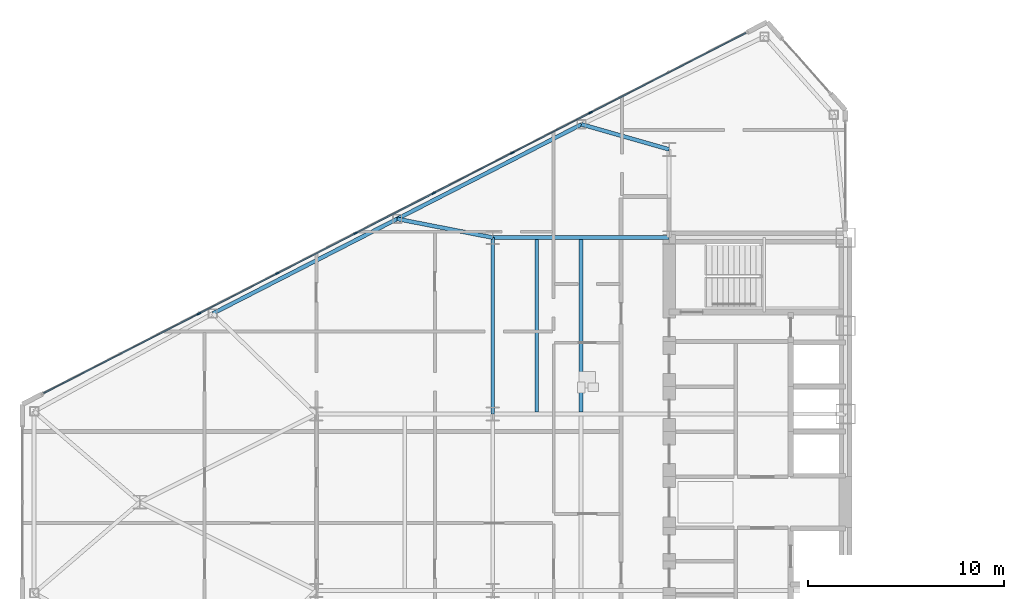
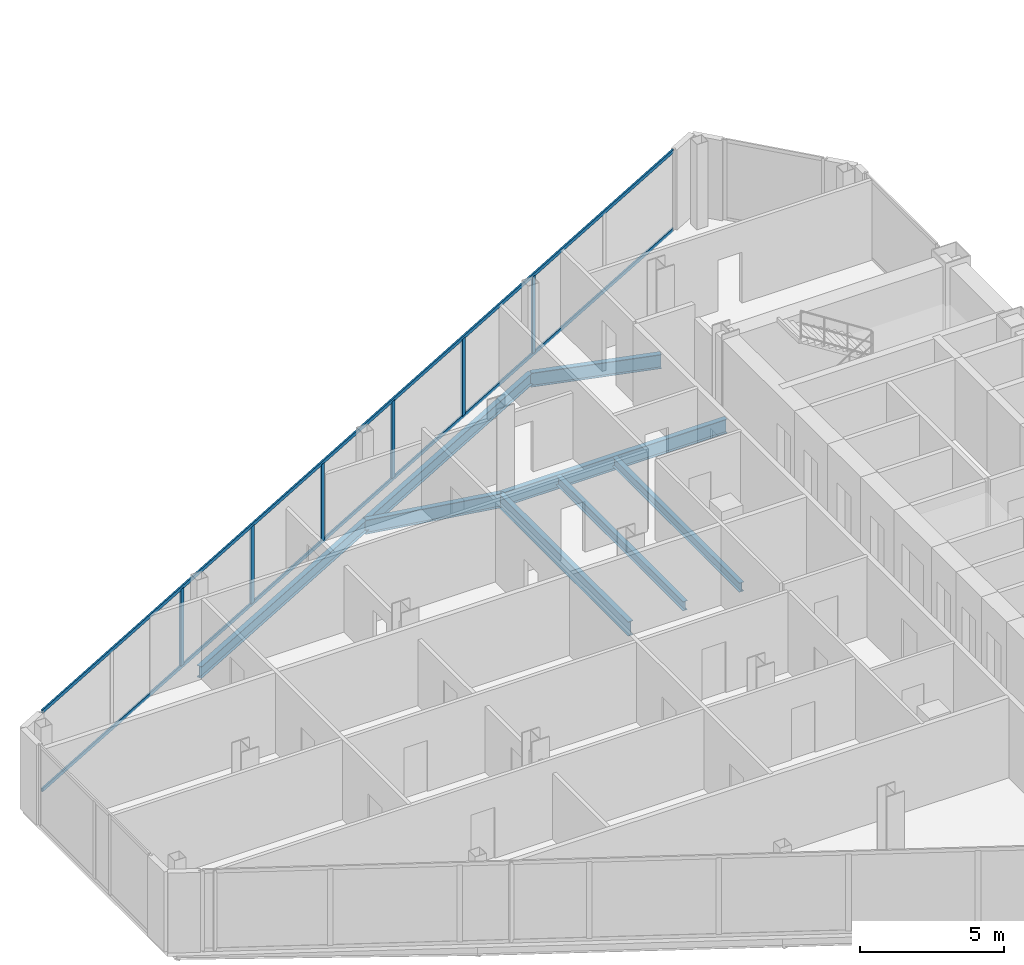
# One storey, part 6 of 24: 8 beams, 8 members, 1 element without a shape of its own.
"""IFC4 building model written with IfcOpenShell, lengths in metres."""

from ifc_helpers import new_model, si_unit, direction, frame, origin, origin_2d, place, context, subcontext, project, spatial, rectangle, i_section, extrude, source, transform, mapped, material, layer, layer_set, material_profile, profile_set, type_object, type_shapes, element, aggregate, save


model = new_model("IFC4")

# Units and contexts
model_context = context("Model", 3, precision=1e-05, world=origin(), true_north=direction((0.0, 1.0)))
body_context = subcontext(model_context, "Body", "Model", "MODEL_VIEW")
ifc_project = project(units=[si_unit("LENGTHUNIT", "METRE"), si_unit("AREAUNIT", "SQUARE_METRE"), si_unit("VOLUMEUNIT", "CUBIC_METRE"), si_unit("PLANEANGLEUNIT", "RADIAN"), si_unit("MASSUNIT", "GRAM", prefix="KILO")], contexts=[model_context])

# Site, building, storey
site_placement = place(None, origin())
site = spatial("IfcSite", under=ifc_project, at=site_placement, CompositionType="ELEMENT")
building_placement = place(site_placement, origin())
building = spatial("IfcBuilding", under=site, at=building_placement, Name="Seokmaru Belvedere", CompositionType="ELEMENT")
storey_placement = place(building_placement, frame((0.0, 0.0, 121.199951171875)))
storey = spatial("IfcBuildingStorey", under=building, at=storey_placement, Name="L32", CompositionType="ELEMENT", Elevation=121.199951171875)

# Beams
ifc_material_1 = material(Name="Steel SM355 (355 MPa)", Category="steel")
ifc_material_profile_1 = material_profile(ifc_material_1, i_section(OverallWidth=0.199951171875, OverallDepth=0.60009765625, WebThickness=0.010986328125, FlangeThickness=0.01708984375, at=origin_2d()), Name="H-600x200x11x17")
ifc_profile_set_1 = profile_set([ifc_material_profile_1], Name="Steel SM355 (355 MPa)")
beam_type_1 = type_object("IfcBeamType", Name="Primary Floor Girder H-600", PredefinedType="BEAM", material=ifc_profile_set_1)
shared_shape_1 = source(origin(), body_context, "Body", "SweptSolid", [
    extrude(i_section(OverallWidth=0.199951171875, OverallDepth=0.60009765625, WebThickness=0.010986328125, FlangeThickness=0.01708984375, at=origin_2d()), origin(), (0.0, 0.0, 1.0), 9.0),
])
for number, where, z_axis, x_axis, name in (
    (1, (-45.5, 4.5, -0.52001953125), (0.0, 1.0, 0.0), (-1.0, 0.0, 0.0), "L32 W Interior Grid Girder 3"),
    (2, (-45.5, 13.5, -0.52001953125), (1.0, 0.0, 0.0), (0.0, 1.0, 0.0), "L32 W Wing Primary Girder 4"),
):
    element("IfcBeam", number, at=place(storey_placement, frame(where, z_axis=z_axis, x_axis=x_axis)), inside=storey, type_object=beam_type_1, Name=name, PredefinedType="BEAM", context=body_context, shape_type="MappedRepresentation", body=[
        mapped(shared_shape_1, transform((0.0, 0.0, 0.0), scale=1.0)),
    ])
ifc_material_profile_2 = material_profile(ifc_material_1, i_section(OverallWidth=0.18505859375, OverallDepth=0.389892578125, WebThickness=0.008056640625, FlangeThickness=0.011962890625, at=origin_2d()), Name="H-390x185x8x12")
ifc_profile_set_2 = profile_set([ifc_material_profile_2], Name="Steel SM355 (355 MPa)")
beam_type_2 = type_object("IfcBeamType", Name="Secondary Floor Joist H-350", PredefinedType="JOIST", material=ifc_profile_set_2)
shared_shape_2 = source(origin(), body_context, "Body", "SweptSolid", [
    extrude(i_section(OverallWidth=0.18505859375, OverallDepth=0.389892578125, WebThickness=0.008056640625, FlangeThickness=0.011962890625, at=origin_2d()), origin(), (0.0, 0.0, 1.0), 8.7900390625),
])
type_shapes(beam_type_2, [shared_shape_2])
for number, where, z_axis, x_axis, name in (
    (3, (-43.25, 4.60498046875, -0.4150390625), (0.0, 1.0, 0.0), (-1.0, 0.0, 0.0), "L32 W Wing Inner Secondary Joist 2"),
    (4, (-41.0, 4.60498046875, -0.4150390625), (0.0, 1.0, 0.0), (-1.0, 0.0, 0.0), "L32 W Secondary Floor Joist 3"),
):
    element("IfcBeam", number, at=place(storey_placement, frame(where, z_axis=z_axis, x_axis=x_axis)), inside=storey, type_object=beam_type_2, Name=name, PredefinedType="JOIST", context=body_context, shape_type="MappedRepresentation", body=[
        mapped(shared_shape_2, transform((0.0, 0.0, 0.0), scale=1.0)),
    ])
ifc_material_profile_3 = material_profile(ifc_material_1, i_section(OverallWidth=0.199951171875, OverallDepth=0.5, WebThickness=0.010009765625, FlangeThickness=0.01611328125, at=origin_2d()), Name="H-500x200x10x16")
ifc_profile_set_3 = profile_set([ifc_material_profile_3], Name="Steel SM355 (355 MPa)")
beam_type_3 = type_object("IfcBeamType", Name="Perimeter Spandrel Beam H-500", PredefinedType="SPANDREL", material=ifc_profile_set_3)
shared_shape_3 = source(origin(), body_context, "Body", "SweptSolid", [
    extrude(i_section(OverallWidth=0.199951171875, OverallDepth=0.5, WebThickness=0.010009765625, FlangeThickness=0.01611328125, at=origin_2d()), origin(), (0.0, 0.0, 1.0), 10.56689453125),
])
type_shapes(beam_type_3, [shared_shape_3])
for number, where, z_axis, x_axis, name in (
    (5, (-40.975830078125, 19.277587890625, -0.469970703125), (-0.889701972758, -0.45654178305, 0.0), (0.45654178305, -0.889701972758, 0.0), "L32 W Faceted Flank Spandrel N-2"),
    (6, (-50.377197265625, 14.453369140625, -0.469970703125), (-0.889692588006, -0.456560071455, 0.0), (0.456560071455, -0.889692588006, 0.0), "L32 W Faceted Flank Spandrel N-3"),
):
    element("IfcBeam", number, at=place(storey_placement, frame(where, z_axis=z_axis, x_axis=x_axis)), inside=storey, type_object=beam_type_3, Name=name, PredefinedType="SPANDREL", context=body_context, shape_type="MappedRepresentation", body=[
        mapped(shared_shape_3, transform((0.0, 0.0, 0.0), scale=1.0)),
    ])
shared_shape_4 = source(origin(), body_context, "Body", "SweptSolid", [
    extrude(i_section(OverallWidth=0.199951171875, OverallDepth=0.60009765625, WebThickness=0.010986328125, FlangeThickness=0.01708984375, at=origin_2d()), origin(), (0.0, 0.0, 1.0), 4.654541015625),
])
beam_1_placement = place(storey_placement, frame((-40.975830078125, 19.277587890625, -0.52001953125), z_axis=(0.961593192625, -0.274478654721, 0.0), x_axis=(0.274478654721, 0.961593192625, 0.0)))
element("IfcBeam", 7, at=beam_1_placement, inside=storey, type_object=beam_type_1, Name="L32 W Flank Radial Floor Girder N-1", PredefinedType="BEAM", context=body_context, shape_type="MappedRepresentation", body=[
    mapped(shared_shape_4, transform((0.0, 0.0, 0.0), scale=1.0)),
])
shared_shape_5 = source(origin(), body_context, "Body", "SweptSolid", [
    extrude(i_section(OverallWidth=0.199951171875, OverallDepth=0.60009765625, WebThickness=0.010986328125, FlangeThickness=0.01708984375, at=origin_2d()), origin(), (0.0, 0.0, 1.0), 4.969482421875),
])
type_shapes(beam_type_1, [shared_shape_1, shared_shape_4, shared_shape_5])
beam_2_placement = place(storey_placement, frame((-50.377197265625, 14.453369140625, -0.52001953125), z_axis=(0.98142544456, -0.19184393858, 0.0), x_axis=(0.19184393858, 0.98142544456, 0.0)))
element("IfcBeam", 8, at=beam_2_placement, inside=storey, type_object=beam_type_1, Name="L32 W Flank Radial Floor Girder N-2", PredefinedType="BEAM", context=body_context, shape_type="MappedRepresentation", body=[
    mapped(shared_shape_5, transform((0.0, 0.0, 0.0), scale=1.0)),
])

# Curtain wall, members
ifc_material_2 = material(Name="Bronze Triple Insulating Glass", Category="glass")
ifc_layer = layer(ifc_material_2, 0.195068359375)
ifc_layer_set = layer_set([ifc_layer], Name="Bronze Triple Insulating Glass")
curtain_wall_type = type_object("IfcCurtainWallType", Name="Sky-Lobby and Mid-Rise Curtain Wall System CW-4", PredefinedType="NOTDEFINED", material=ifc_layer_set)
curtain_wall_placement = place(storey_placement, origin())
curtain_wall = element("IfcCurtainWall", 9, at=curtain_wall_placement, inside=storey, type_object=curtain_wall_type, Name="L32 Curtain Wall WF3", PredefinedType="NOTDEFINED")
ifc_material_3 = material(Name="Anodised Bronze Aluminium", Category="aluminium")
ifc_material_profile_4 = material_profile(ifc_material_3, rectangle(XDim=0.070068359375, YDim=0.195068359375, at=origin_2d()), Name="CW-M-70x195")
ifc_profile_set_4 = profile_set([ifc_material_profile_4], Name="Anodised Bronze Aluminium")
member_type_1 = type_object("IfcMemberType", Name="Bronze Unitised Mullion 70x195", PredefinedType="MULLION", material=ifc_profile_set_4)
shared_shape_6 = source(origin(), body_context, "Body", "SweptSolid", [
    extrude(rectangle(XDim=0.070068359375, YDim=0.195068359375, at=origin_2d()), origin(), (0.0, 0.0, 1.0), 3.25),
])
type_shapes(member_type_1, [shared_shape_6])
member_1_placement = place(storey_placement, frame((-40.5126953125, 19.875, 0.06494140625), z_axis=(0.0, 0.0, 1.0), x_axis=(0.456554528263, -0.889695432562, 0.0)))
member_1 = element("IfcMember", 10, at=member_1_placement, type_object=member_type_1, Name="CW:L32:WF3 Mullion 3", PredefinedType="MULLION", context=body_context, shape_type="MappedRepresentation", body=[
    mapped(shared_shape_6, transform((0.0, 0.0, 0.0), scale=1.0)),
])
member_2_placement = place(storey_placement, frame((-44.5078125, 17.824951171875, 0.06494140625), z_axis=(0.0, 0.0, 1.0), x_axis=(0.456554528263, -0.889695432562, 0.0)))
member_2 = element("IfcMember", 11, at=member_2_placement, type_object=member_type_1, Name="CW:L32:WF3 Mullion 4", PredefinedType="MULLION", context=body_context, shape_type="MappedRepresentation", body=[
    mapped(shared_shape_6, transform((0.0, 0.0, 0.0), scale=1.0)),
])
member_3_placement = place(storey_placement, frame((-48.502685546875, 15.77490234375, 0.06494140625), z_axis=(0.0, 0.0, 1.0), x_axis=(0.456554528263, -0.889695432562, 0.0)))
member_3 = element("IfcMember", 12, at=member_3_placement, type_object=member_type_1, Name="CW:L32:WF3 Mullion 5", PredefinedType="MULLION", context=body_context, shape_type="MappedRepresentation", body=[
    mapped(shared_shape_6, transform((0.0, 0.0, 0.0), scale=1.0)),
])
member_4_placement = place(storey_placement, frame((-52.497314453125, 13.72509765625, 0.06494140625), z_axis=(0.0, 0.0, 1.0), x_axis=(0.456554528263, -0.889695432562, 0.0)))
member_4 = element("IfcMember", 13, at=member_4_placement, type_object=member_type_1, Name="CW:L32:WF3 Mullion 6", PredefinedType="MULLION", context=body_context, shape_type="MappedRepresentation", body=[
    mapped(shared_shape_6, transform((0.0, 0.0, 0.0), scale=1.0)),
])
member_5_placement = place(storey_placement, frame((-56.4921875, 11.675048828125, 0.06494140625), z_axis=(0.0, 0.0, 1.0), x_axis=(0.456554528263, -0.889695432562, 0.0)))
member_5 = element("IfcMember", 14, at=member_5_placement, type_object=member_type_1, Name="CW:L32:WF3 Mullion 7", PredefinedType="MULLION", context=body_context, shape_type="MappedRepresentation", body=[
    mapped(shared_shape_6, transform((0.0, 0.0, 0.0), scale=1.0)),
])
member_6_placement = place(storey_placement, frame((-60.4873046875, 9.625, 0.06494140625), z_axis=(0.0, 0.0, 1.0), x_axis=(0.456554528263, -0.889695432562, 0.0)))
member_6 = element("IfcMember", 15, at=member_6_placement, type_object=member_type_1, Name="CW:L32:WF3 Mullion 8", PredefinedType="MULLION", context=body_context, shape_type="MappedRepresentation", body=[
    mapped(shared_shape_6, transform((0.0, 0.0, 0.0), scale=1.0)),
])
ifc_material_profile_5 = material_profile(ifc_material_3, rectangle(XDim=0.06494140625, YDim=0.14990234375, at=origin_2d()), Name="CW-T-65x150")
ifc_profile_set_5 = profile_set([ifc_material_profile_5], Name="Anodised Bronze Aluminium")
member_type_2 = type_object("IfcMemberType", Name="Bronze Unitised Transom 65x150", PredefinedType="USERDEFINED", material=ifc_profile_set_5)
shared_shape_7 = source(origin(), body_context, "Body", "SweptSolid", [
    extrude(rectangle(XDim=0.06494140625, YDim=0.14990234375, at=origin_2d()), origin(), (0.0, 0.0, 1.0), 40.271240234375),
])
type_shapes(member_type_2, [shared_shape_7])
member_7_placement = place(storey_placement, frame((-32.58544921875, 23.943115234375, 0.032470703125), z_axis=(-0.889693089107, -0.456559094965, 0.0), x_axis=(0.456559094965, -0.889693089107, 0.0)))
member_7 = element("IfcMember", 16, at=member_7_placement, type_object=member_type_2, Name="CW:L32:WF3 Continuous Transom 1", ObjectType="TRANSOM", PredefinedType="USERDEFINED", context=body_context, shape_type="MappedRepresentation", body=[
    mapped(shared_shape_7, transform((0.0, 0.0, 0.0), scale=1.0)),
])
member_8_placement = place(storey_placement, frame((-32.58544921875, 23.943115234375, 3.34765625), z_axis=(-0.889693089107, -0.456559094965, 0.0), x_axis=(0.456559094965, -0.889693089107, 0.0)))
member_8 = element("IfcMember", 17, at=member_8_placement, type_object=member_type_2, Name="CW:L32:WF3 Continuous Transom 2", ObjectType="TRANSOM", PredefinedType="USERDEFINED", context=body_context, shape_type="MappedRepresentation", body=[
    mapped(shared_shape_7, transform((0.0, 0.0, 0.0), scale=1.0)),
])
aggregate(curtain_wall, [member_1, member_2, member_3, member_4, member_5, member_6, member_7, member_8])

save(model, "model.ifc")
